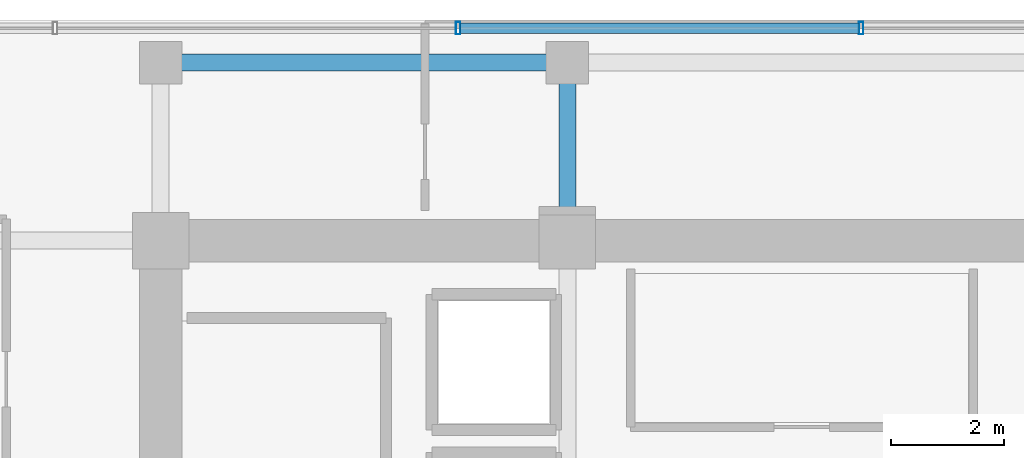
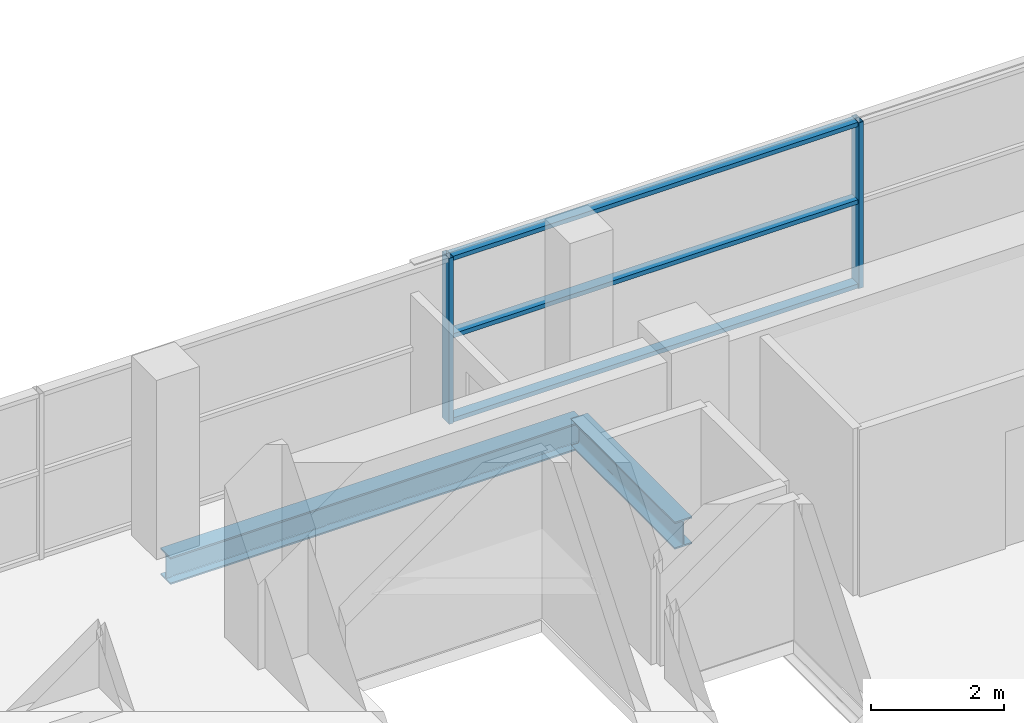
# One storey, part 14 of 25: 5 members, 2 beams, 1 element without a shape of its own.
"""IFC4 building model written with IfcOpenShell, lengths in metres."""

import ifcopenshell
import ifcopenshell.guid

model = None  # the IFC model being written
_history = None  # IfcOwnerHistory: only IFC2X3 demands one
_inside = {}  # id of a spatial element -> (the spatial element, [elements in it])
_under = {}  # id of a project, library or spatial element -> (it, [spatial elements below it])
_declared = {}  # id of a project -> (the project, [libraries it declares])
_typed = {}  # id of a type object -> (the type object, [elements of that type])
_made_of = {}  # id of a material, layer set ... -> (it, [elements and type objects made of it])


def new_model(schema):
    """Start an empty IFC model of exactly this schema.

    Asked for "IFC4X3", IfcOpenShell would pick the latest addendum, in which some entities
    have other attributes; the version numbers below select the first issue.
    IFC2X3 requires an IfcOwnerHistory on every rooted entity: one is made here for all.
    """
    global model, _history
    if schema == "IFC4X3":
        model = ifcopenshell.file(schema_version=(4, 3, 0, 0))
    else:
        model = ifcopenshell.file(schema=schema)
    _inside.clear()
    _under.clear()
    _declared.clear()
    _typed.clear()
    _made_of.clear()
    _history = None
    if model.schema == "IFC2X3":
        org = make("IfcOrganization", Name="unknown")
        user = make(
            "IfcPersonAndOrganization",
            ThePerson=make("IfcPerson", FamilyName="unknown"),
            TheOrganization=org,
        )
        app = make(
            "IfcApplication",
            ApplicationDeveloper=org,
            Version="unknown",
            ApplicationFullName="unknown",
            ApplicationIdentifier="unknown",
        )
        _history = make(
            "IfcOwnerHistory",
            OwningUser=user,
            OwningApplication=app,
            ChangeAction="ADDED",
            CreationDate=0,
        )
    return model


def make(cls, **values):
    """One entity of the class cls with the attributes given. An attribute that is None is left unset."""
    return model.create_entity(
        cls, **{name: value for name, value in values.items() if value is not None}
    )


def rooted(cls, **values):
    """An entity with a GlobalId (a new one), such as an element, a storey or a relation."""
    return make(cls, GlobalId=ifcopenshell.guid.new(), OwnerHistory=_history, **values)


def si_unit(unit_type, name, prefix=None):
    """IfcSIUnit, for example si_unit("LENGTHUNIT", "METRE", prefix="MILLI")."""
    return make("IfcSIUnit", UnitType=unit_type, Prefix=prefix, Name=name)


def assignment(units):
    """IfcUnitAssignment: the units of a project."""
    return None if units is None else make("IfcUnitAssignment", Units=units)


def point(xyz):
    """IfcCartesianPoint."""
    return None if xyz is None else make("IfcCartesianPoint", Coordinates=xyz)


def direction(xyz):
    """IfcDirection."""
    return None if xyz is None else make("IfcDirection", DirectionRatios=xyz)


def frame(location, z_axis=None, x_axis=None):
    """IfcAxis2Placement3D, a coordinate frame: its origin and axes. An axis left out is left unset."""
    return make(
        "IfcAxis2Placement3D",
        Location=point(location),
        Axis=direction(z_axis),
        RefDirection=direction(x_axis),
    )


def frame_2d(location, x_axis=None):
    """IfcAxis2Placement2D, a coordinate frame in the plane: its origin and x axis."""
    return make(
        "IfcAxis2Placement2D", Location=point(location), RefDirection=direction(x_axis)
    )


def origin():
    """The frame at (0, 0, 0) with its axes left unset."""
    return frame((0.0, 0.0, 0.0))


def origin_2d():
    """The frame at (0, 0) in the plane with its x axis left unset."""
    return frame_2d((0.0, 0.0))


def place(relative_to, where):
    """IfcLocalPlacement: puts the frame where relative to a parent placement (None: the world)."""
    return make(
        "IfcLocalPlacement", PlacementRelTo=relative_to, RelativePlacement=where
    )


def context(
    kind, dimensions, precision=None, world=None, true_north=None, identifier=None
):
    """IfcGeometricRepresentationContext, for example the 3D "Model" context."""
    return make(
        "IfcGeometricRepresentationContext",
        ContextIdentifier=identifier,
        ContextType=kind,
        CoordinateSpaceDimension=dimensions,
        Precision=precision,
        WorldCoordinateSystem=world,
        TrueNorth=true_north,
    )


def subcontext(parent, identifier, kind, view, scale=None):
    """IfcGeometricRepresentationSubContext, for example "Body" below "Model"."""
    return make(
        "IfcGeometricRepresentationSubContext",
        ContextIdentifier=identifier,
        ContextType=kind,
        ParentContext=parent,
        TargetScale=scale,
        TargetView=view,
    )


def project(units=None, contexts=None):
    """IfcProject with its units and contexts."""
    return rooted(
        "IfcProject",
        Name="project",
        RepresentationContexts=contexts,
        UnitsInContext=assignment(units),
    )


def spatial(cls, under=None, at=None, **own):
    """A site, building, storey or space (cls), placed at a placement, below another one or the project."""
    s = rooted(cls, ObjectPlacement=at, **own)
    if under is not None:
        _under.setdefault(under.id(), (under, []))[1].append(s)
    return s


def profile(cls, at=None, kind="AREA", **sizes):
    """A parametric profile (cls). Its sizes go by their IFC names, for example OverallWidth=200.0."""
    return make(cls, ProfileType=kind, Position=at, **sizes)


def hollow_rectangle(**sizes):
    """IfcRectangleHollowProfileDef."""
    return profile("IfcRectangleHollowProfileDef", **sizes)


def i_section(**sizes):
    """IfcIShapeProfileDef."""
    return profile("IfcIShapeProfileDef", **sizes)


def extrude(swept, where, along, depth):
    """IfcExtrudedAreaSolid: the profile swept, set in the frame where, extruded along a direction by depth."""
    return make(
        "IfcExtrudedAreaSolid",
        SweptArea=swept,
        Position=where,
        ExtrudedDirection=direction(along),
        Depth=depth,
    )


def shape(context_of_items, identifier, shape_type, items):
    """IfcShapeRepresentation: the items that make up one representation, for example the "Body"."""
    return make(
        "IfcShapeRepresentation",
        ContextOfItems=context_of_items,
        RepresentationIdentifier=identifier,
        RepresentationType=shape_type,
        Items=items,
    )


def source(mapping_origin, context_of_items, identifier, shape_type, items):
    """IfcRepresentationMap: a shape defined once, which mapped items show again and again."""
    return make(
        "IfcRepresentationMap",
        MappingOrigin=mapping_origin,
        MappedRepresentation=shape(context_of_items, identifier, shape_type, items),
    )


def transform(
    local_origin,
    x_axis=None,
    y_axis=None,
    z_axis=None,
    scale=None,
    scale2=None,
    scale3=None,
    uniform=True,
):
    """IfcCartesianTransformationOperator3D, or its non-uniform kind. x_axis, y_axis, z_axis: its Axis1, 2, 3."""
    if uniform:
        return make(
            "IfcCartesianTransformationOperator3D",
            Axis1=direction(x_axis),
            Axis2=direction(y_axis),
            LocalOrigin=point(local_origin),
            Scale=scale,
            Axis3=direction(z_axis),
        )
    return make(
        "IfcCartesianTransformationOperator3DnonUniform",
        Axis1=direction(x_axis),
        Axis2=direction(y_axis),
        LocalOrigin=point(local_origin),
        Scale=scale,
        Axis3=direction(z_axis),
        Scale2=scale2,
        Scale3=scale3,
    )


def mapped(mapping_source, mapping_target):
    """IfcMappedItem: shows the shape of a source again, moved by a transform."""
    return make(
        "IfcMappedItem", MappingSource=mapping_source, MappingTarget=mapping_target
    )


def material(Name=None, Category=None):
    """IfcMaterial."""
    return make("IfcMaterial", Name=Name, Category=Category)


def layer(
    of_material, thickness, ventilated=None, Name=None, Category=None, Priority=None
):
    """IfcMaterialLayer: one layer of a wall or slab, of a material (None: an air gap)."""
    return make(
        "IfcMaterialLayer",
        Material=of_material,
        LayerThickness=thickness,
        IsVentilated=ventilated,
        Name=Name,
        Category=Category,
        Priority=Priority,
    )


def layer_set(layers, Name=None):
    """IfcMaterialLayerSet."""
    return make("IfcMaterialLayerSet", MaterialLayers=layers, LayerSetName=Name)


def material_profile(
    of_material, cross_section, Name=None, Category=None, Priority=None
):
    """IfcMaterialProfile: a cross section and its material."""
    return make(
        "IfcMaterialProfile",
        Name=Name,
        Material=of_material,
        Profile=cross_section,
        Priority=Priority,
        Category=Category,
    )


def profile_set(profiles, Name=None, composite=None):
    """IfcMaterialProfileSet."""
    return make(
        "IfcMaterialProfileSet",
        Name=Name,
        MaterialProfiles=profiles,
        CompositeProfile=composite,
    )


def made_of(thing, what):
    """Note that an element or type object is made of a material, layer set ...; save() writes the relation."""
    if what is not None:
        _made_of.setdefault(what.id(), (what, []))[1].append(thing)
    return thing


def type_object(cls, material=None, **own):
    """A type object (cls), such as IfcWallType, which elements share."""
    return made_of(rooted(cls, **own), material)


def element(
    cls,
    number,
    at=None,
    inside=None,
    cuts=None,
    type_object=None,
    material=None,
    context=None,
    identifier="Body",
    shape_type=None,
    held_by="IfcProductDefinitionShape",
    body=None,
    shapes=None,
    **own,
):
    """One element of the class cls, such as IfcWall. Its Tag is "e" and its number.

    at: its placement. inside: the storey or other place that contains it. cuts: it is an
    opening in that element (IfcRelVoidsElement). A single representation is given by context,
    identifier, shape_type and body (its items); several are given by shapes. held_by: the class
    of the entity that holds the representations. save() writes the other relations.
    """
    e = rooted(cls, Tag="e%d" % number, ObjectPlacement=at, **own)
    if body is not None:
        shapes = [shape(context, identifier, shape_type, body)]
    if shapes is not None:
        e.Representation = make(held_by, Representations=shapes)
    if inside is not None:
        _inside.setdefault(inside.id(), (inside, []))[1].append(e)
    if cuts is not None:
        rooted(
            "IfcRelVoidsElement", RelatingBuildingElement=cuts, RelatedOpeningElement=e
        )
    if type_object is not None:
        _typed.setdefault(type_object.id(), (type_object, []))[1].append(e)
    return made_of(e, material)


def aggregate(whole, parts):
    """IfcRelAggregates: a whole, such as a stair, and the parts it consists of."""
    return rooted("IfcRelAggregates", RelatingObject=whole, RelatedObjects=parts)


def save(model, path):
    """Write the relations noted so far, then the file.

    IfcRelAggregates (storeys below a building ...), IfcRelContainedInSpatialStructure (elements
    in a storey), IfcRelDefinesByType, IfcRelAssociatesMaterial and IfcRelDeclares: one each for
    every whole, place, type object, material and project.
    """
    for whole, parts in _under.values():
        aggregate(whole, parts)
    for where, things in _inside.values():
        rooted(
            "IfcRelContainedInSpatialStructure",
            RelatedElements=things,
            RelatingStructure=where,
        )
    for kind, things in _typed.values():
        rooted("IfcRelDefinesByType", RelatedObjects=things, RelatingType=kind)
    for what, things in _made_of.values():
        rooted("IfcRelAssociatesMaterial", RelatedObjects=things, RelatingMaterial=what)
    for by, libraries in _declared.values():
        rooted("IfcRelDeclares", RelatingContext=by, RelatedDefinitions=libraries)
    model.write(path)


model = new_model("IFC4")

# Units and contexts
model_context = context("Model", 3, precision=1e-05, world=origin(), true_north=direction((0.0, 1.0)))
body_context = subcontext(model_context, "Body", "Model", "MODEL_VIEW")
ifc_project = project(units=[si_unit("LENGTHUNIT", "METRE"), si_unit("AREAUNIT", "SQUARE_METRE"), si_unit("VOLUMEUNIT", "CUBIC_METRE"), si_unit("PLANEANGLEUNIT", "RADIAN"), si_unit("MASSUNIT", "GRAM", prefix="KILO")], contexts=[model_context])

# Site, building, storey
site_placement = place(None, origin())
site = spatial("IfcSite", under=ifc_project, at=site_placement, CompositionType="ELEMENT")
building_placement = place(site_placement, origin())
building = spatial("IfcBuilding", under=site, at=building_placement, Name="Zarnakvel Exchange Tower", CompositionType="ELEMENT")
storey_placement = place(building_placement, frame((0.0, 0.0, 156.10009765625)))
storey = spatial("IfcBuildingStorey", under=building, at=storey_placement, Name="L43", CompositionType="ELEMENT", Elevation=156.10009765625)

# Beams
ifc_material_1 = material(Name="Steel S355", Category="steel")
ifc_material_profile_1 = material_profile(ifc_material_1, i_section(OverallWidth=0.300048828125, OverallDepth=0.5, WebThickness=0.014404296875, FlangeThickness=0.028076171875, FilletRadius=0.027099609375, at=origin_2d()))
ifc_profile_set_1 = profile_set([ifc_material_profile_1], Name="Steel S355")
beam_type_1 = type_object("IfcBeamType", Name="G-06", PredefinedType="BEAM", material=ifc_profile_set_1)
beam_1_placement = place(storey_placement, frame((-7.199951171875, 13.5, -0.47509765625), z_axis=(0.0, 1.0, 0.0), x_axis=(-1.0, 0.0, 0.0)))
element("IfcBeam", 1, at=beam_1_placement, inside=storey, type_object=beam_type_1, Name="L43 Tower N-S Frame Beam", PredefinedType="BEAM", context=body_context, shape_type="SweptSolid", body=[
    extrude(i_section(OverallWidth=0.300048828125, OverallDepth=0.5, WebThickness=0.014404296875, FlangeThickness=0.028076171875, FilletRadius=0.027099609375, at=origin_2d()), origin(), (0.0, 0.0, 1.0), 3.14990234375),
])
ifc_material_profile_2 = material_profile(ifc_material_1, i_section(OverallWidth=0.300048828125, OverallDepth=0.5, WebThickness=0.014404296875, FlangeThickness=0.028076171875, FilletRadius=0.027099609375, at=origin_2d()))
ifc_profile_set_2 = profile_set([ifc_material_profile_2], Name="Steel S355")
beam_type_2 = type_object("IfcBeamType", Name="SP-02", PredefinedType="SPANDREL", material=ifc_profile_set_2)
beam_2_placement = place(storey_placement, frame((-14.39990234375, 16.64990234375, -0.47509765625), z_axis=(1.0, 0.0, 0.0), x_axis=(0.0, 1.0, 0.0)))
element("IfcBeam", 2, at=beam_2_placement, inside=storey, type_object=beam_type_2, Name="L43 Tower E-W Frame Beam", PredefinedType="SPANDREL", context=body_context, shape_type="SweptSolid", body=[
    extrude(i_section(OverallWidth=0.300048828125, OverallDepth=0.5, WebThickness=0.014404296875, FlangeThickness=0.028076171875, FilletRadius=0.027099609375, at=origin_2d()), origin(), (0.0, 0.0, 1.0), 7.199951171875),
])

# Curtain wall, members
ifc_material_2 = material(Name="Architectural Bronze Anodised Aluminium", Category="aluminium")
ifc_layer = layer(ifc_material_2, 0.219970703125)
ifc_layer_set = layer_set([ifc_layer], Name="Architectural Bronze Anodised Aluminium")
curtain_wall_type = type_object("IfcCurtainWallType", Name="CW-03", PredefinedType="NOTDEFINED", material=ifc_layer_set)
curtain_wall_placement = place(storey_placement, origin())
curtain_wall = element("IfcCurtainWall", 3, at=curtain_wall_placement, inside=storey, type_object=curtain_wall_type, Name="L43 Curtain Wall CW-L43-N1 (CW-03)", PredefinedType="NOTDEFINED")
ifc_material_profile_3 = material_profile(ifc_material_2, hollow_rectangle(XDim=0.219970703125, YDim=0.080078125, WallThickness=0.0048828125, at=origin_2d()))
ifc_profile_set_3 = profile_set([ifc_material_profile_3], Name="Architectural Bronze Anodised Aluminium")
member_type_1 = type_object("IfcMemberType", Name="CWM-03", PredefinedType="MULLION", material=ifc_profile_set_3)
shared_shape_1 = source(origin(), body_context, "Body", "SweptSolid", [
    extrude(hollow_rectangle(XDim=0.219970703125, YDim=0.080078125, WallThickness=0.0048828125, at=origin_2d()), origin(), (0.0, 0.0, 1.0), 3.054931640625),
])
member_1_placement = place(storey_placement, frame((-9.13330078125, 17.260009765625, 0.0), z_axis=(0.0, 0.0, 1.0), x_axis=(0.0, 1.0, 0.0)))
member_1 = element("IfcMember", 4, at=member_1_placement, type_object=member_type_1, Name="CW-03 mullion 3", PredefinedType="MULLION", context=body_context, shape_type="MappedRepresentation", body=[
    mapped(shared_shape_1, transform((0.0, 0.0, 0.0), x_axis=(1.0, 0.0, 0.0), y_axis=(0.0, 1.0, 0.0), z_axis=(0.0, 0.0, 1.0), scale=1.0)),
])
member_2_placement = place(storey_placement, frame((-2.0, 17.260009765625, 0.0), z_axis=(0.0, 0.0, 1.0), x_axis=(0.0, 1.0, 0.0)))
member_2 = element("IfcMember", 5, at=member_2_placement, type_object=member_type_1, Name="CW-03 mullion 4", PredefinedType="MULLION", context=body_context, shape_type="MappedRepresentation", body=[
    mapped(shared_shape_1, transform((0.0, 0.0, 0.0), x_axis=(1.0, 0.0, 0.0), y_axis=(0.0, 1.0, 0.0), z_axis=(0.0, 0.0, 1.0), scale=1.0)),
])
ifc_material_profile_4 = material_profile(ifc_material_2, hollow_rectangle(XDim=0.179931640625, YDim=0.080078125, WallThickness=0.00390625, at=origin_2d()))
ifc_profile_set_4 = profile_set([ifc_material_profile_4], Name="Architectural Bronze Anodised Aluminium")
member_type_2 = type_object("IfcMemberType", Name="CWT-03", PredefinedType="USERDEFINED", material=ifc_profile_set_4)
shared_shape_2 = source(origin(), body_context, "Body", "SweptSolid", [
    extrude(hollow_rectangle(XDim=0.179931640625, YDim=0.080078125, WallThickness=0.00390625, at=origin_2d()), origin(), (0.0, 0.0, 1.0), 7.05322265625),
])
member_3_placement = place(storey_placement, frame((-9.09326171875, 17.260009765625, 0.039794921875), z_axis=(1.0, 0.0, 0.0), x_axis=(0.0, 1.0, 0.0)))
member_3 = element("IfcMember", 6, at=member_3_placement, type_object=member_type_2, Name="CW-03 transom 3.1", ObjectType="TRANSOM", PredefinedType="USERDEFINED", context=body_context, shape_type="MappedRepresentation", body=[
    mapped(shared_shape_2, transform((0.0, 0.0, 0.0), x_axis=(1.0, 0.0, 0.0), y_axis=(0.0, 1.0, 0.0), z_axis=(0.0, 0.0, 1.0), scale=1.0)),
])
member_4_placement = place(storey_placement, frame((-9.09326171875, 17.260009765625, 1.588623046875), z_axis=(1.0, 0.0, 0.0), x_axis=(0.0, 1.0, 0.0)))
member_4 = element("IfcMember", 7, at=member_4_placement, type_object=member_type_2, Name="CW-03 transom 3.2", ObjectType="TRANSOM", PredefinedType="USERDEFINED", context=body_context, shape_type="MappedRepresentation", body=[
    mapped(shared_shape_2, transform((0.0, 0.0, 0.0), x_axis=(1.0, 0.0, 0.0), y_axis=(0.0, 1.0, 0.0), z_axis=(0.0, 0.0, 1.0), scale=1.0)),
])
member_5_placement = place(storey_placement, frame((-9.09326171875, 17.260009765625, 3.014892578125), z_axis=(1.0, 0.0, 0.0), x_axis=(0.0, 1.0, 0.0)))
member_5 = element("IfcMember", 8, at=member_5_placement, type_object=member_type_2, Name="CW-03 transom 3.3", ObjectType="TRANSOM", PredefinedType="USERDEFINED", context=body_context, shape_type="MappedRepresentation", body=[
    mapped(shared_shape_2, transform((0.0, 0.0, 0.0), x_axis=(1.0, 0.0, 0.0), y_axis=(0.0, 1.0, 0.0), z_axis=(0.0, 0.0, 1.0), scale=1.0)),
])
aggregate(curtain_wall, [member_1, member_2, member_3, member_4, member_5])

save(model, "model.ifc")
